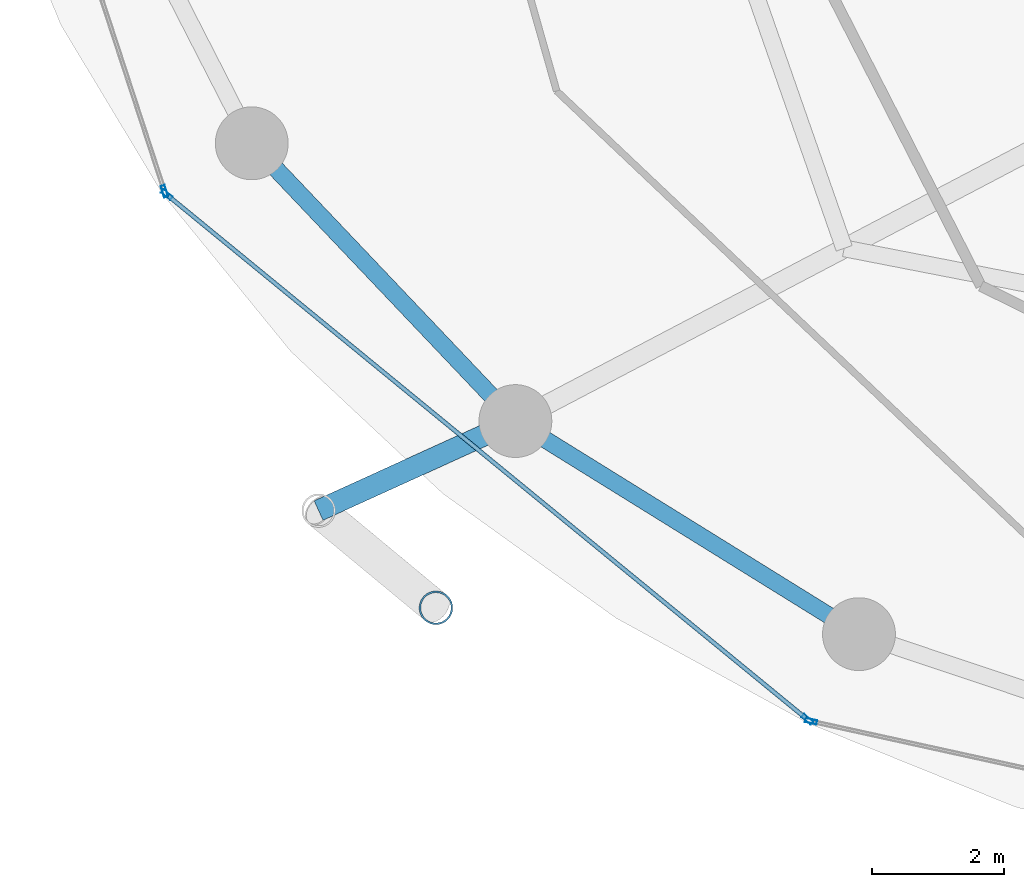
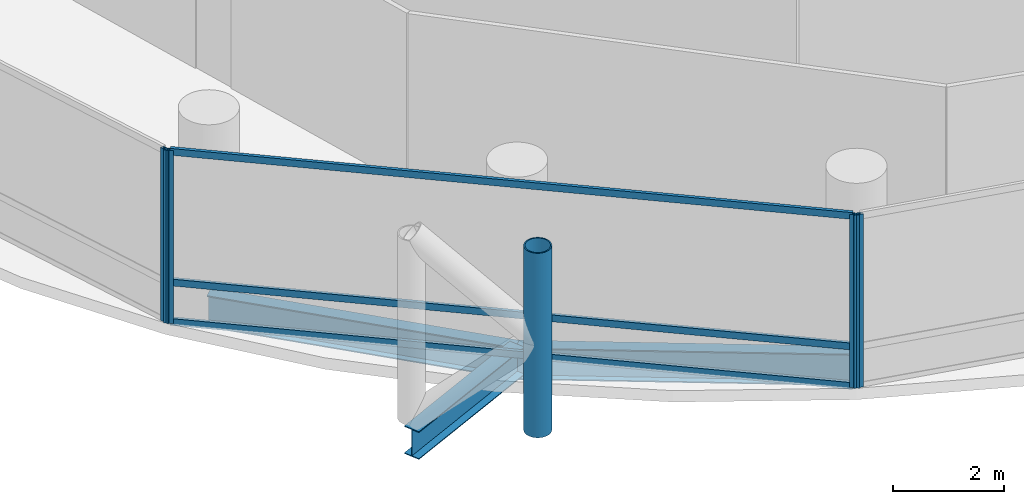
# One storey, part 2 of 24: 8 members, 3 beams, 3 elements without a shape of their own.
"""IFC4 building model written with IfcOpenShell, lengths in metres."""

from ifc_helpers import new_model, si_unit, direction, frame, origin, origin_2d, place, context, subcontext, project, spatial, hollow_rectangle, hollow_circle, i_section, extrude, material, layer, layer_set, material_profile, profile_set, type_object, element, aggregate, save


model = new_model("IFC4")

# Units and contexts
model_context = context("Model", 3, precision=1e-05, world=origin(), true_north=direction((0.0, 1.0)))
body_context = subcontext(model_context, "Body", "Model", "MODEL_VIEW")
ifc_project = project(units=[si_unit("LENGTHUNIT", "METRE"), si_unit("AREAUNIT", "SQUARE_METRE"), si_unit("VOLUMEUNIT", "CUBIC_METRE"), si_unit("PLANEANGLEUNIT", "RADIAN"), si_unit("MASSUNIT", "GRAM", prefix="KILO")], contexts=[model_context])

# Site, building, storey
site_placement = place(None, origin())
site = spatial("IfcSite", under=ifc_project, at=site_placement, CompositionType="ELEMENT")
building_placement = place(site_placement, origin())
building = spatial("IfcBuilding", under=site, at=building_placement, Name="Nuhasar Tower", CompositionType="ELEMENT")
storey_placement = place(building_placement, frame((0.0, 0.0, 73.64990234375)))
storey = spatial("IfcBuildingStorey", under=building, at=storey_placement, Name="L17", CompositionType="ELEMENT", Elevation=73.64990234375)

# Beams
ifc_material_1 = material(Name="Steel S355", Category="steel")
ifc_material_profile_1 = material_profile(ifc_material_1, i_section(OverallWidth=0.256103515625, OverallDepth=0.693115234375, WebThickness=0.014404296875, FlangeThickness=0.023681640625, at=origin_2d()), Name="W27X114")
ifc_profile_set_1 = profile_set([ifc_material_profile_1], Name="Steel S355")
beam_type_1 = type_object("IfcBeamType", Name="BM-RING-W27X114", PredefinedType="SPANDREL", material=ifc_profile_set_1)
beam_1_placement = place(storey_placement, frame((17.305908203125, 16.675048828125, -0.596923828125), z_axis=(0.688459812429, -0.725274490569, 0.0), x_axis=(0.725274490569, 0.688459812429, 0.0)))
element("IfcBeam", 1, at=beam_1_placement, inside=storey, type_object=beam_type_1, Name="L17 Perimeter Ring Spandrel 15", PredefinedType="SPANDREL", context=body_context, shape_type="SweptSolid", body=[
    extrude(i_section(OverallWidth=0.256103515625, OverallDepth=0.693115234375, WebThickness=0.014404296875, FlangeThickness=0.023681640625, at=origin_2d()), origin(), (0.0, 0.0, 1.0), 5.78271484375),
])
beam_2_placement = place(storey_placement, frame((21.287109375, 12.48095703125, -0.596923828125), z_axis=(0.849795216549, -0.527112976439, 0.0), x_axis=(0.527112976439, 0.849795216549, 0.0)))
element("IfcBeam", 2, at=beam_2_placement, inside=storey, type_object=beam_type_1, Name="L17 Perimeter Ring Spandrel 16", PredefinedType="SPANDREL", context=body_context, shape_type="SweptSolid", body=[
    extrude(i_section(OverallWidth=0.256103515625, OverallDepth=0.693115234375, WebThickness=0.014404296875, FlangeThickness=0.023681640625, at=origin_2d()), origin(), (0.0, 0.0, 1.0), 6.10498046875),
])
ifc_material_profile_2 = material_profile(ifc_material_1, i_section(OverallWidth=0.323974609375, OverallDepth=0.611083984375, WebThickness=0.0126953125, FlangeThickness=0.01904296875, at=origin_2d()), Name="W24X104")
ifc_profile_set_2 = profile_set([ifc_material_profile_2], Name="Steel S355")
beam_type_2 = type_object("IfcBeamType", Name="BM-TIE-W24X104", PredefinedType="BEAM", material=ifc_profile_set_2)
beam_3_placement = place(storey_placement, frame((21.287109375, 12.48095703125, -0.554931640625), z_axis=(-0.910243528587, -0.414073325227, 0.0), x_axis=(0.414073325227, -0.910243528587, 0.0)))
element("IfcBeam", 3, at=beam_3_placement, inside=storey, type_object=beam_type_2, Name="L17 Exoskeleton Node Tie Beam 08", PredefinedType="BEAM", context=body_context, shape_type="SweptSolid", body=[
    extrude(i_section(OverallWidth=0.323974609375, OverallDepth=0.611083984375, WebThickness=0.0126953125, FlangeThickness=0.01904296875, at=origin_2d()), origin(), (0.0, 0.0, 1.0), 3.26513671875),
])

# Curtain wall, member
ifc_material_2 = material(Name="Aluminium 6063-T6", Category="aluminium")
ifc_layer = layer(ifc_material_2, 0.199951171875)
ifc_layer_set = layer_set([ifc_layer], Name="Aluminium 6063-T6")
curtain_wall_type = type_object("IfcCurtainWallType", Name="CW-Z1-OFF", PredefinedType="NOTDEFINED", material=ifc_layer_set)
curtain_wall_1_placement = place(storey_placement, origin())
curtain_wall_1 = element("IfcCurtainWall", 4, at=curtain_wall_1_placement, inside=storey, type_object=curtain_wall_type, Name="L17 Unitised Curtain Wall 07", PredefinedType="NOTDEFINED")
ifc_material_profile_3 = material_profile(ifc_material_2, hollow_rectangle(XDim=0.06494140625, YDim=0.179931640625, WallThickness=0.0048828125, at=origin_2d()), Name="CWM-2")
ifc_profile_set_3 = profile_set([ifc_material_profile_3], Name="Aluminium 6063-T6")
member_type_1 = type_object("IfcMemberType", Name="CW-MUL-S2", PredefinedType="MULLION", material=ifc_profile_set_3)
member_1_placement = place(storey_placement, frame((15.98779296875, 15.950927734375, 0.0), z_axis=(0.0, 0.0, 1.0), x_axis=(0.950467534571, 0.310823849997, 0.0)))
member_1 = element("IfcMember", 5, at=member_1_placement, type_object=member_type_1, Name="CW-Z1 mullion 2", PredefinedType="MULLION", context=body_context, shape_type="SweptSolid", body=[
    extrude(hollow_rectangle(XDim=0.06494140625, YDim=0.179931640625, WallThickness=0.0048828125, at=origin_2d()), origin(), (0.0, 0.0, 1.0), 3.800048828125),
])
aggregate(curtain_wall_1, [member_1])

# Curtain wall, members
curtain_wall_2_placement = place(storey_placement, origin())
curtain_wall_2 = element("IfcCurtainWall", 6, at=curtain_wall_2_placement, inside=storey, type_object=curtain_wall_type, Name="L17 Unitised Curtain Wall 08", PredefinedType="NOTDEFINED")
member_2_placement = place(storey_placement, frame((16.023193359375, 15.8994140625, 0.0), z_axis=(0.0, 0.0, 1.0), x_axis=(0.633744593376, 0.773542364946, 0.0)))
member_2 = element("IfcMember", 7, at=member_2_placement, type_object=member_type_1, Name="CW-Z1 mullion 1", PredefinedType="MULLION", context=body_context, shape_type="SweptSolid", body=[
    extrude(hollow_rectangle(XDim=0.06494140625, YDim=0.179931640625, WallThickness=0.0048828125, at=origin_2d()), origin(), (0.0, 0.0, 1.0), 3.800048828125),
])
member_3_placement = place(storey_placement, frame((25.69482421875, 7.9755859375, 0.0), z_axis=(0.0, 0.0, 1.0), x_axis=(0.633744593376, 0.773542364946, 0.0)))
member_3 = element("IfcMember", 8, at=member_3_placement, type_object=member_type_1, Name="CW-Z1 mullion 2", PredefinedType="MULLION", context=body_context, shape_type="SweptSolid", body=[
    extrude(hollow_rectangle(XDim=0.06494140625, YDim=0.179931640625, WallThickness=0.0048828125, at=origin_2d()), origin(), (0.0, 0.0, 1.0), 3.800048828125),
])

# Curtain wall, member
curtain_wall_3_placement = place(storey_placement, origin())
curtain_wall_3 = element("IfcCurtainWall", 9, at=curtain_wall_3_placement, inside=storey, type_object=curtain_wall_type, Name="L17 Unitised Curtain Wall 09", PredefinedType="NOTDEFINED")
member_4_placement = place(storey_placement, frame((25.751708984375, 7.947998046875, 0.0), z_axis=(0.0, 0.0, 1.0), x_axis=(0.214398737637, 0.976746221544, 0.0)))
member_4 = element("IfcMember", 10, at=member_4_placement, type_object=member_type_1, Name="CW-Z1 mullion 1", PredefinedType="MULLION", context=body_context, shape_type="SweptSolid", body=[
    extrude(hollow_rectangle(XDim=0.06494140625, YDim=0.179931640625, WallThickness=0.0048828125, at=origin_2d()), origin(), (0.0, 0.0, 1.0), 3.800048828125),
])
aggregate(curtain_wall_3, [member_4])

# Member
ifc_material_profile_4 = material_profile(ifc_material_2, hollow_rectangle(XDim=0.06494140625, YDim=0.14990234375, WallThickness=0.00439453125, at=origin_2d()), Name="CWT-2")
ifc_profile_set_4 = profile_set([ifc_material_profile_4], Name="Aluminium 6063-T6")
member_type_2 = type_object("IfcMemberType", Name="CW-TRN-S2", PredefinedType="USERDEFINED", material=ifc_profile_set_4)
member_5_placement = place(storey_placement, frame((16.04833984375, 15.87890625, 0.03271484375), z_axis=(0.773531229158, -0.633758185365, 0.0), x_axis=(0.633758185365, 0.773531229158, 0.0)))
member_5 = element("IfcMember", 11, at=member_5_placement, type_object=member_type_2, Name="CW-Z1 transom 1.1", ObjectType="TRANSOM", PredefinedType="USERDEFINED", context=body_context, shape_type="SweptSolid", body=[
    extrude(hollow_rectangle(XDim=0.06494140625, YDim=0.14990234375, WallThickness=0.00439453125, at=origin_2d()), origin(), (0.0, 0.0, 1.0), 12.438232421875),
])

member_6_placement = place(storey_placement, frame((16.04833984375, 15.87890625, 0.900146484375), z_axis=(0.773531229158, -0.633758185365, 0.0), x_axis=(0.633758185365, 0.773531229158, 0.0)))
member_6 = element("IfcMember", 12, at=member_6_placement, type_object=member_type_2, Name="CW-Z1 transom 1.2", ObjectType="TRANSOM", PredefinedType="USERDEFINED", context=body_context, shape_type="SweptSolid", body=[
    extrude(hollow_rectangle(XDim=0.06494140625, YDim=0.14990234375, WallThickness=0.00439453125, at=origin_2d()), origin(), (0.0, 0.0, 1.0), 12.438232421875),
])

member_7_placement = place(storey_placement, frame((16.04833984375, 15.87890625, 3.767578125), z_axis=(0.773531229158, -0.633758185365, 0.0), x_axis=(0.633758185365, 0.773531229158, 0.0)))
member_7 = element("IfcMember", 13, at=member_7_placement, type_object=member_type_2, Name="CW-Z1 transom 1.3", ObjectType="TRANSOM", PredefinedType="USERDEFINED", context=body_context, shape_type="SweptSolid", body=[
    extrude(hollow_rectangle(XDim=0.06494140625, YDim=0.14990234375, WallThickness=0.00439453125, at=origin_2d()), origin(), (0.0, 0.0, 1.0), 12.438232421875),
])

aggregate(curtain_wall_2, [member_2, member_3, member_5, member_6, member_7])

ifc_material_3 = material(Name="Steel S460", Category="steel")
ifc_material_profile_5 = material_profile(ifc_material_3, hollow_circle(Radius=0.25390625, WallThickness=0.025390625, at=origin_2d()), Name="HSS508X25.4")
ifc_profile_set_5 = profile_set([ifc_material_profile_5], Name="Steel S460")
member_type_3 = type_object("IfcMemberType", Name="EXO-BRONZE-508", PredefinedType="BRACE", material=ifc_profile_set_5)
member_8_placement = place(storey_placement, frame((20.0869140625, 9.660888671875, 0.0), z_axis=(0.0, 0.0, 1.0), x_axis=(1.0, 0.0, 0.0)))
element("IfcMember", 14, at=member_8_placement, inside=storey, type_object=member_type_3, Name="L17 Exoskeleton Chord Column EC-08B", PredefinedType="BRACE", context=body_context, shape_type="SweptSolid", body=[
    extrude(hollow_circle(Radius=0.25390625, WallThickness=0.025390625, at=origin_2d()), origin(), (0.0, 0.0, 1.0), 4.050048828125),
])

save(model, "model.ifc")
